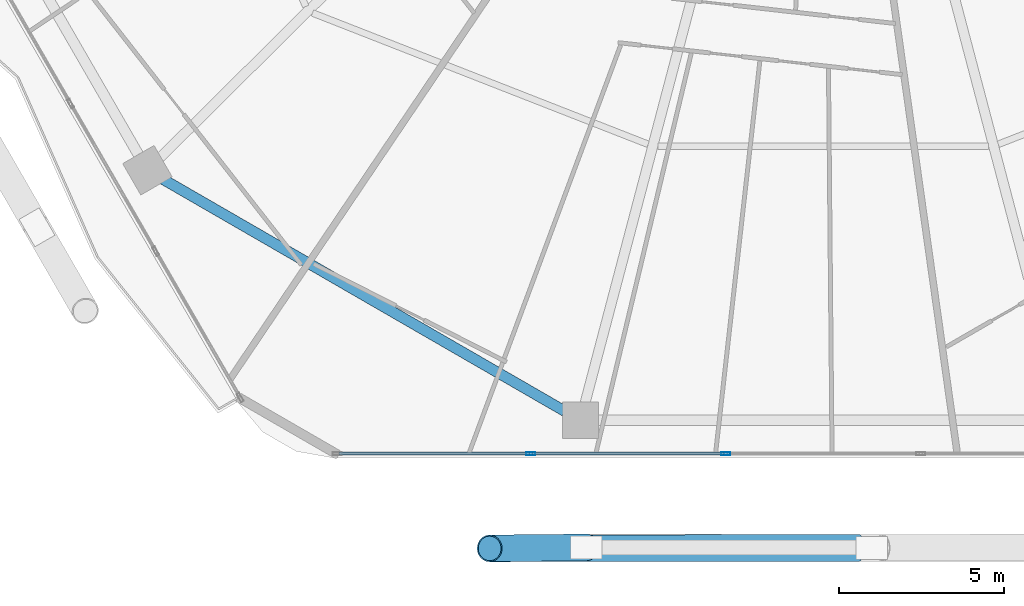
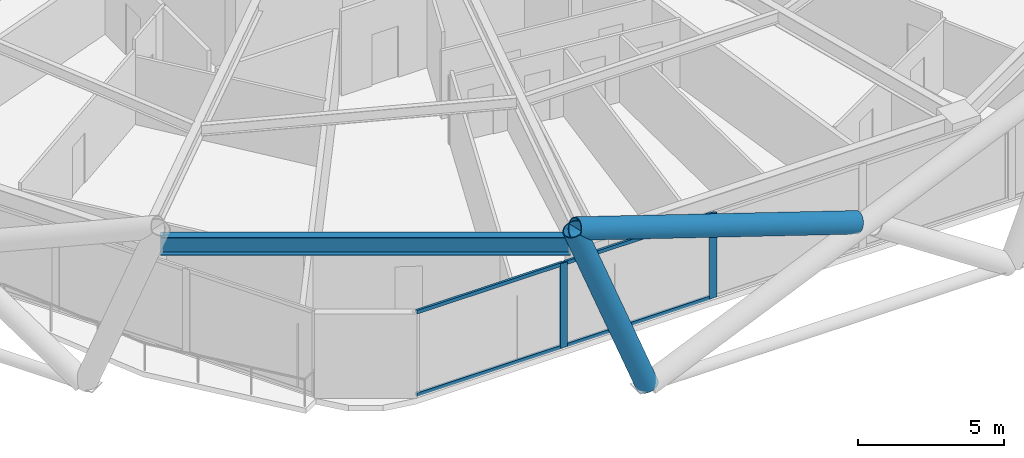
# One storey, part 3 of 34: 8 members, 1 beam, 1 element without a shape of its own.
"""IFC4 building model written with IfcOpenShell, lengths in metres."""

from ifc_helpers import new_model, si_unit, direction, frame, origin, origin_2d, place, context, subcontext, project, spatial, hollow_rectangle, hollow_circle, i_section, extrude, material, material_profile, profile_set, type_object, element, aggregate, save


model = new_model("IFC4")

# Units and contexts
model_context = context("Model", 3, precision=1e-05, world=origin(), true_north=direction((0.0, 1.0)))
body_context = subcontext(model_context, "Body", "Model", "MODEL_VIEW")
ifc_project = project(units=[si_unit("LENGTHUNIT", "METRE"), si_unit("AREAUNIT", "SQUARE_METRE"), si_unit("VOLUMEUNIT", "CUBIC_METRE"), si_unit("PLANEANGLEUNIT", "RADIAN"), si_unit("MASSUNIT", "GRAM", prefix="KILO")], contexts=[model_context])

# Site, building, storey
site_placement = place(None, origin())
site = spatial("IfcSite", under=ifc_project, at=site_placement, CompositionType="ELEMENT")
building_placement = place(site_placement, origin())
building = spatial("IfcBuilding", under=site, at=building_placement, Name="Zuhravey Tower", CompositionType="ELEMENT")
storey_placement = place(building_placement, frame((0.0, 0.0, 100.0)))
storey = spatial("IfcBuildingStorey", under=building, at=storey_placement, Name="L24", CompositionType="ELEMENT", Elevation=100.0)

# Curtain wall, members
ifc_material_1 = material(Name="Thermally broken anodised aluminium", Category="aluminium")
curtain_wall_type = type_object("IfcCurtainWallType", Name="Zone 1-2 Residential Curtain Wall CW3", PredefinedType="NOTDEFINED", material=ifc_material_1)
curtain_wall_placement = place(storey_placement, origin())
curtain_wall = element("IfcCurtainWall", 1, at=curtain_wall_placement, inside=storey, type_object=curtain_wall_type, Name="L24 CW3 CW-L24-F5-1", PredefinedType="NOTDEFINED")
ifc_material_2 = material(Name="Anodised aluminium", Category="aluminium")
ifc_material_profile_1 = material_profile(ifc_material_2, hollow_rectangle(XDim=0.090087890625, YDim=0.284912109375, WallThickness=0.0048828125, at=origin_2d()), Name="ALU-RHS-90x285x5")
ifc_profile_set_1 = profile_set([ifc_material_profile_1], Name="Anodised aluminium")
member_type_1 = type_object("IfcMemberType", Name="Curtain-Wall Mullion 90x180", PredefinedType="MULLION", material=ifc_profile_set_1)
member_1_placement = place(storey_placement, frame((33.0400390625, 3.04150390625, 0.0), z_axis=(0.0, 0.0, 1.0), x_axis=(0.0, -1.0, 0.0)))
member_1 = element("IfcMember", 2, at=member_1_placement, type_object=member_type_1, Name="CW3 mullion 4", PredefinedType="MULLION", context=body_context, shape_type="SweptSolid", body=[
    extrude(hollow_rectangle(XDim=0.090087890625, YDim=0.284912109375, WallThickness=0.0048828125, at=origin_2d()), origin(), (0.0, 0.0, 1.0), 3.550048828125),
])
member_2_placement = place(storey_placement, frame((27.120361328125, 3.04150390625, 0.0), z_axis=(0.0, 0.0, 1.0), x_axis=(0.0, -1.0, 0.0)))
member_2 = element("IfcMember", 3, at=member_2_placement, type_object=member_type_1, Name="CW3 mullion 5", PredefinedType="MULLION", context=body_context, shape_type="SweptSolid", body=[
    extrude(hollow_rectangle(XDim=0.090087890625, YDim=0.284912109375, WallThickness=0.0048828125, at=origin_2d()), origin(), (0.0, 0.0, 1.0), 3.550048828125),
])
ifc_material_profile_2 = material_profile(ifc_material_2, hollow_rectangle(XDim=0.090087890625, YDim=0.14990234375, WallThickness=0.0048828125, at=origin_2d()), Name="ALU-RHS-90x150x5")
ifc_profile_set_2 = profile_set([ifc_material_profile_2], Name="Anodised aluminium")
member_type_2 = type_object("IfcMemberType", Name="Curtain-Wall Transom 90x150", PredefinedType="USERDEFINED", material=ifc_profile_set_2)
member_3_placement = place(storey_placement, frame((32.9951171875, 3.04150390625, 0.044921875), z_axis=(-1.0, 0.0, 0.0), x_axis=(0.0, -1.0, 0.0)))
member_3 = element("IfcMember", 4, at=member_3_placement, type_object=member_type_2, Name="CW3 transom 4.1", ObjectType="TRANSOM", PredefinedType="USERDEFINED", context=body_context, shape_type="SweptSolid", body=[
    extrude(hollow_rectangle(XDim=0.090087890625, YDim=0.14990234375, WallThickness=0.0048828125, at=origin_2d()), origin(), (0.0, 0.0, 1.0), 5.829833984375),
])
member_4_placement = place(storey_placement, frame((32.9951171875, 3.04150390625, 3.5048828125), z_axis=(-1.0, 0.0, 0.0), x_axis=(0.0, -1.0, 0.0)))
member_4 = element("IfcMember", 5, at=member_4_placement, type_object=member_type_2, Name="CW3 transom 4.2", ObjectType="TRANSOM", PredefinedType="USERDEFINED", context=body_context, shape_type="SweptSolid", body=[
    extrude(hollow_rectangle(XDim=0.090087890625, YDim=0.14990234375, WallThickness=0.0048828125, at=origin_2d()), origin(), (0.0, 0.0, 1.0), 5.829833984375),
])
member_5_placement = place(storey_placement, frame((27.0751953125, 3.04150390625, 0.044921875), z_axis=(-1.0, 0.0, 0.0), x_axis=(0.0, -1.0, 0.0)))
member_5 = element("IfcMember", 6, at=member_5_placement, type_object=member_type_2, Name="CW3 transom 5.1", ObjectType="TRANSOM", PredefinedType="USERDEFINED", context=body_context, shape_type="SweptSolid", body=[
    extrude(hollow_rectangle(XDim=0.090087890625, YDim=0.14990234375, WallThickness=0.0048828125, at=origin_2d()), origin(), (0.0, 0.0, 1.0), 5.78466796875),
])
member_6_placement = place(storey_placement, frame((27.0751953125, 3.04150390625, 3.5048828125), z_axis=(-1.0, 0.0, 0.0), x_axis=(0.0, -1.0, 0.0)))
member_6 = element("IfcMember", 7, at=member_6_placement, type_object=member_type_2, Name="CW3 transom 5.2", ObjectType="TRANSOM", PredefinedType="USERDEFINED", context=body_context, shape_type="SweptSolid", body=[
    extrude(hollow_rectangle(XDim=0.090087890625, YDim=0.14990234375, WallThickness=0.0048828125, at=origin_2d()), origin(), (0.0, 0.0, 1.0), 5.78466796875),
])
aggregate(curtain_wall, [member_1, member_2, member_3, member_4, member_5, member_6])

# Members
ifc_material_3 = material(Name="Steel SM460", Category="steel")
ifc_material_profile_3 = material_profile(ifc_material_3, hollow_circle(Radius=0.406494140625, WallThickness=0.035888671875, at=origin_2d()), Name="CHS-812.8x36")
ifc_profile_set_3 = profile_set([ifc_material_profile_3], Name="Steel SM460")
member_type_3 = type_object("IfcMemberType", Name="Exoskeleton Zone 1 Diagrid CHS813x36", PredefinedType="BRACE", material=ifc_profile_set_3)
member_7_placement = place(storey_placement, frame((28.797607421875, 0.19140625, -0.44189453125), z_axis=(-0.36108971675, -0.003675980094, 0.932523835421), x_axis=(0.010179712835, -0.999948185381, 0.0)))
element("IfcMember", 8, at=member_7_placement, inside=storey, type_object=member_type_3, Name="L24 Face 5 Diagrid Brace 1", PredefinedType="BRACE", context=body_context, shape_type="SweptSolid", body=[
    extrude(hollow_circle(Radius=0.406494140625, WallThickness=0.035888671875, at=origin_2d()), origin(), (0.0, 0.0, 1.0), 8.1025390625),
])
member_8_placement = place(storey_placement, frame((37.0947265625, 0.176025390625, 3.459228515625), z_axis=(-0.950372765072, -0.001224519952, 0.311111086205), x_axis=(0.001288461729, -0.999999169933, 0.0)))
element("IfcMember", 9, at=member_8_placement, inside=storey, type_object=member_type_3, Name="L24 Face 5 Split Diagrid Brace 3B", PredefinedType="BRACE", context=body_context, shape_type="SweptSolid", body=[
    extrude(hollow_circle(Radius=0.406494140625, WallThickness=0.035888671875, at=origin_2d()), origin(), (0.0, 0.0, 1.0), 11.76318359375),
])

# Beam
ifc_material_4 = material(Name="Steel SM355", Category="steel")
ifc_material_profile_4 = material_profile(ifc_material_4, i_section(OverallWidth=0.320068359375, OverallDepth=0.75, WebThickness=0.013916015625, FlangeThickness=0.02490234375, at=origin_2d()), Name="H-750x320x14x25")
ifc_profile_set_4 = profile_set([ifc_material_profile_4], Name="Steel SM355")
beam_type = type_object("IfcBeamType", Name="Perimeter Ring Beam H750x320", PredefinedType="BEAM", material=ifc_profile_set_4)
beam_placement = place(storey_placement, frame((15.9599609375, 11.36669921875, 3.175048828125), z_axis=(0.866017786538, -0.500013193225, 0.0), x_axis=(0.500013193225, 0.866017786538, 0.0)))
element("IfcBeam", 10, at=beam_placement, inside=storey, type_object=beam_type, Name="L24 PB1 BM-L24-PB-08", PredefinedType="BEAM", context=body_context, shape_type="SweptSolid", body=[
    extrude(i_section(OverallWidth=0.320068359375, OverallDepth=0.75, WebThickness=0.013916015625, FlangeThickness=0.02490234375, at=origin_2d()), origin(), (0.0, 0.0, 1.0), 14.0771484375),
])

save(model, "model.ifc")
